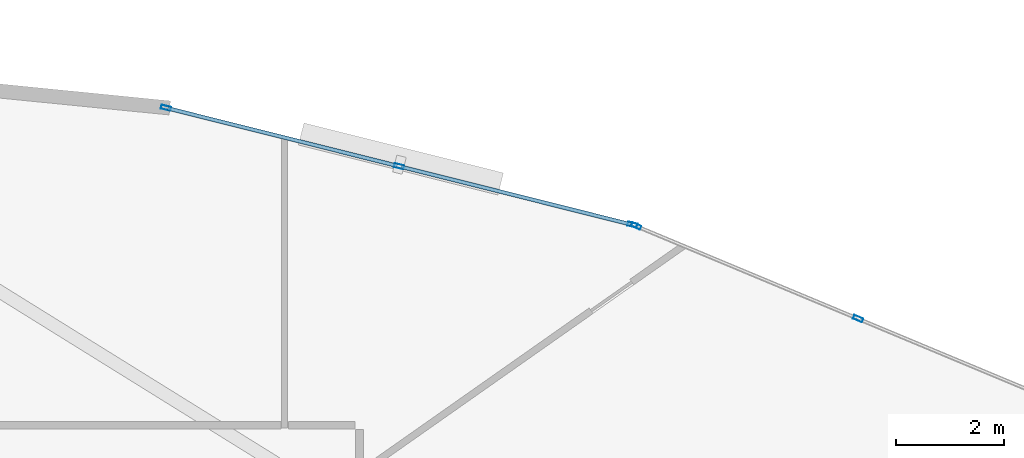
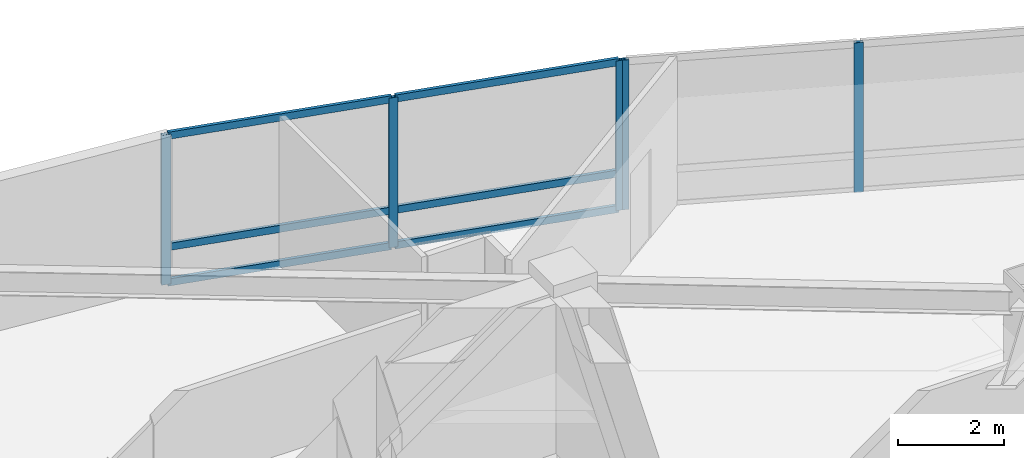
# One storey, part 9 of 18: 11 members, 2 elements without a shape of their own.
"""IFC4 building model written with IfcOpenShell, lengths in metres."""

from ifc_helpers import new_model, si_unit, direction, frame, origin, origin_2d, place, context, subcontext, project, spatial, hollow_rectangle, extrude, material, layer, layer_set, material_profile, profile_set, type_object, element, aggregate, save


model = new_model("IFC4")

# Units and contexts
model_context = context("Model", 3, precision=1e-05, world=origin(), true_north=direction((0.0, 1.0)))
body_context = subcontext(model_context, "Body", "Model", "MODEL_VIEW")
ifc_project = project(units=[si_unit("LENGTHUNIT", "METRE"), si_unit("AREAUNIT", "SQUARE_METRE"), si_unit("VOLUMEUNIT", "CUBIC_METRE"), si_unit("PLANEANGLEUNIT", "RADIAN"), si_unit("MASSUNIT", "GRAM", prefix="KILO")], contexts=[model_context])

# Site, building, storey
site_placement = place(None, origin())
site = spatial("IfcSite", under=ifc_project, at=site_placement, CompositionType="ELEMENT")
building_placement = place(site_placement, origin())
building = spatial("IfcBuilding", under=site, at=building_placement, Name="Menara Vayukalpa", CompositionType="ELEMENT")
storey_placement = place(building_placement, frame((0.0, 0.0, 169.199951171875)))
storey = spatial("IfcBuildingStorey", under=building, at=storey_placement, Name="L42", CompositionType="ELEMENT", Elevation=169.199951171875)

# Curtain wall, members
ifc_material_1 = material(Name="Anodised Terracotta Aluminium Alloy 6063-T6", Category="masonry")
ifc_layer = layer(ifc_material_1, 0.179931640625)
ifc_layer_set = layer_set([ifc_layer], Name="Anodised Terracotta Aluminium Alloy 6063-T6")
curtain_wall_type = type_object("IfcCurtainWallType", Name="CW-CW4", PredefinedType="USERDEFINED", material=ifc_layer_set)
curtain_wall_1_placement = place(storey_placement, origin())
curtain_wall_1 = element("IfcCurtainWall", 1, at=curtain_wall_1_placement, inside=storey, type_object=curtain_wall_type, Name="L42 Sky Bar Cantilever Glazed Curtain Wall CW4 04", ObjectType="UNITISED", PredefinedType="USERDEFINED")
ifc_material_2 = material(Name="Anodised Terracotta Aluminium Alloy 6063-T6", Category="masonry")
ifc_material_profile_1 = material_profile(ifc_material_2, hollow_rectangle(XDim=0.074951171875, YDim=0.179931640625, WallThickness=0.00390625, at=origin_2d()), Name="ALU 75x180x4")
ifc_profile_set_1 = profile_set([ifc_material_profile_1], Name="Anodised Terracotta Aluminium Alloy 6063-T6")
member_type_1 = type_object("IfcMemberType", Name="CWM-CW4", PredefinedType="MULLION", material=ifc_profile_set_1)
member_1_placement = place(storey_placement, frame((42.098388671875, 30.75146484375, 0.0), z_axis=(0.0, 0.0, 1.0), x_axis=(-0.385091352437, -0.922878459104, 0.0)))
member_1 = element("IfcMember", 2, at=member_1_placement, type_object=member_type_1, Name="CW4 mullion 2", PredefinedType="MULLION", context=body_context, shape_type="SweptSolid", body=[
    extrude(hollow_rectangle(XDim=0.074951171875, YDim=0.179931640625, WallThickness=0.00390625, at=origin_2d()), origin(), (0.0, 0.0, 1.0), 3.43994140625),
])
member_2_placement = place(storey_placement, frame((37.996337890625, 32.463134765625, 0.0), z_axis=(0.0, 0.0, 1.0), x_axis=(-0.385091352437, -0.922878459104, 0.0)))
member_2 = element("IfcMember", 3, at=member_2_placement, type_object=member_type_1, Name="CW4 mullion 3", PredefinedType="MULLION", context=body_context, shape_type="SweptSolid", body=[
    extrude(hollow_rectangle(XDim=0.074951171875, YDim=0.179931640625, WallThickness=0.00390625, at=origin_2d()), origin(), (0.0, 0.0, 1.0), 3.43994140625),
])
aggregate(curtain_wall_1, [member_1, member_2])

curtain_wall_2_placement = place(storey_placement, origin())
curtain_wall_2 = element("IfcCurtainWall", 4, at=curtain_wall_2_placement, inside=storey, type_object=curtain_wall_type, Name="L42 Sky Bar Cantilever Glazed Curtain Wall CW4 05", ObjectType="UNITISED", PredefinedType="USERDEFINED")
member_3_placement = place(storey_placement, frame((37.92529296875, 32.48681640625, 0.0), z_axis=(0.0, 0.0, 1.0), x_axis=(-0.243112993066, -0.969997975566, 0.0)))
member_3 = element("IfcMember", 5, at=member_3_placement, type_object=member_type_1, Name="CW4 mullion 1", PredefinedType="MULLION", context=body_context, shape_type="SweptSolid", body=[
    extrude(hollow_rectangle(XDim=0.074951171875, YDim=0.179931640625, WallThickness=0.00390625, at=origin_2d()), origin(), (0.0, 0.0, 1.0), 3.43994140625),
])
member_4_placement = place(storey_placement, frame((33.61376953125, 33.5673828125, 0.0), z_axis=(0.0, 0.0, 1.0), x_axis=(-0.243112993066, -0.969997975566, 0.0)))
member_4 = element("IfcMember", 6, at=member_4_placement, type_object=member_type_1, Name="CW4 mullion 2", PredefinedType="MULLION", context=body_context, shape_type="SweptSolid", body=[
    extrude(hollow_rectangle(XDim=0.074951171875, YDim=0.179931640625, WallThickness=0.00390625, at=origin_2d()), origin(), (0.0, 0.0, 1.0), 3.43994140625),
])
member_5_placement = place(storey_placement, frame((29.302001953125, 34.64794921875, 0.0), z_axis=(0.0, 0.0, 1.0), x_axis=(-0.243112993066, -0.969997975566, 0.0)))
member_5 = element("IfcMember", 7, at=member_5_placement, type_object=member_type_1, Name="CW4 mullion 3", PredefinedType="MULLION", context=body_context, shape_type="SweptSolid", body=[
    extrude(hollow_rectangle(XDim=0.074951171875, YDim=0.179931640625, WallThickness=0.00390625, at=origin_2d()), origin(), (0.0, 0.0, 1.0), 3.43994140625),
])
ifc_material_3 = material(Name="Anodised Terracotta Aluminium Alloy 6063-T6", Category="masonry")
ifc_material_profile_2 = material_profile(ifc_material_3, hollow_rectangle(XDim=0.070068359375, YDim=0.1650390625, WallThickness=0.00390625, at=origin_2d()), Name="ALU 70x165x4")
ifc_profile_set_2 = profile_set([ifc_material_profile_2], Name="Anodised Terracotta Aluminium Alloy 6063-T6")
member_type_2 = type_object("IfcMemberType", Name="CWT-CW4", PredefinedType="USERDEFINED", material=ifc_profile_set_2)
member_6_placement = place(storey_placement, frame((37.888916015625, 32.495849609375, 0.03515625), z_axis=(-0.969991137753, 0.243140273672, 0.0), x_axis=(-0.243140273672, -0.969991137753, 0.0)))
member_6 = element("IfcMember", 8, at=member_6_placement, type_object=member_type_2, Name="CW4 transom 1.1", ObjectType="TRANSOM", PredefinedType="USERDEFINED", context=body_context, shape_type="SweptSolid", body=[
    extrude(hollow_rectangle(XDim=0.070068359375, YDim=0.1650390625, WallThickness=0.00390625, at=origin_2d()), origin(), (0.0, 0.0, 1.0), 4.369873046875),
])
member_7_placement = place(storey_placement, frame((37.888916015625, 32.495849609375, 0.85009765625), z_axis=(-0.969991137753, 0.243140273672, 0.0), x_axis=(-0.243140273672, -0.969991137753, 0.0)))
member_7 = element("IfcMember", 9, at=member_7_placement, type_object=member_type_2, Name="CW4 transom 1.2", ObjectType="TRANSOM", PredefinedType="USERDEFINED", context=body_context, shape_type="SweptSolid", body=[
    extrude(hollow_rectangle(XDim=0.070068359375, YDim=0.1650390625, WallThickness=0.00390625, at=origin_2d()), origin(), (0.0, 0.0, 1.0), 4.369873046875),
])
member_8_placement = place(storey_placement, frame((37.888916015625, 32.495849609375, 3.405029296875), z_axis=(-0.969991137753, 0.243140273672, 0.0), x_axis=(-0.243140273672, -0.969991137753, 0.0)))
member_8 = element("IfcMember", 10, at=member_8_placement, type_object=member_type_2, Name="CW4 transom 1.3", ObjectType="TRANSOM", PredefinedType="USERDEFINED", context=body_context, shape_type="SweptSolid", body=[
    extrude(hollow_rectangle(XDim=0.070068359375, YDim=0.1650390625, WallThickness=0.00390625, at=origin_2d()), origin(), (0.0, 0.0, 1.0), 4.369873046875),
])
member_9_placement = place(storey_placement, frame((33.577392578125, 33.576416015625, 0.03515625), z_axis=(-0.969994440281, 0.243127098088, 0.0), x_axis=(-0.243127098088, -0.969994440281, 0.0)))
member_9 = element("IfcMember", 11, at=member_9_placement, type_object=member_type_2, Name="CW4 transom 2.1", ObjectType="TRANSOM", PredefinedType="USERDEFINED", context=body_context, shape_type="SweptSolid", body=[
    extrude(hollow_rectangle(XDim=0.070068359375, YDim=0.1650390625, WallThickness=0.00390625, at=origin_2d()), origin(), (0.0, 0.0, 1.0), 4.3701171875),
])
member_10_placement = place(storey_placement, frame((33.577392578125, 33.576416015625, 0.85009765625), z_axis=(-0.969994440281, 0.243127098088, 0.0), x_axis=(-0.243127098088, -0.969994440281, 0.0)))
member_10 = element("IfcMember", 12, at=member_10_placement, type_object=member_type_2, Name="CW4 transom 2.2", ObjectType="TRANSOM", PredefinedType="USERDEFINED", context=body_context, shape_type="SweptSolid", body=[
    extrude(hollow_rectangle(XDim=0.070068359375, YDim=0.1650390625, WallThickness=0.00390625, at=origin_2d()), origin(), (0.0, 0.0, 1.0), 4.3701171875),
])
member_11_placement = place(storey_placement, frame((33.577392578125, 33.576416015625, 3.405029296875), z_axis=(-0.969994440281, 0.243127098088, 0.0), x_axis=(-0.243127098088, -0.969994440281, 0.0)))
member_11 = element("IfcMember", 13, at=member_11_placement, type_object=member_type_2, Name="CW4 transom 2.3", ObjectType="TRANSOM", PredefinedType="USERDEFINED", context=body_context, shape_type="SweptSolid", body=[
    extrude(hollow_rectangle(XDim=0.070068359375, YDim=0.1650390625, WallThickness=0.00390625, at=origin_2d()), origin(), (0.0, 0.0, 1.0), 4.3701171875),
])
aggregate(curtain_wall_2, [member_3, member_4, member_5, member_6, member_7, member_8, member_9, member_10, member_11])

save(model, "model.ifc")
